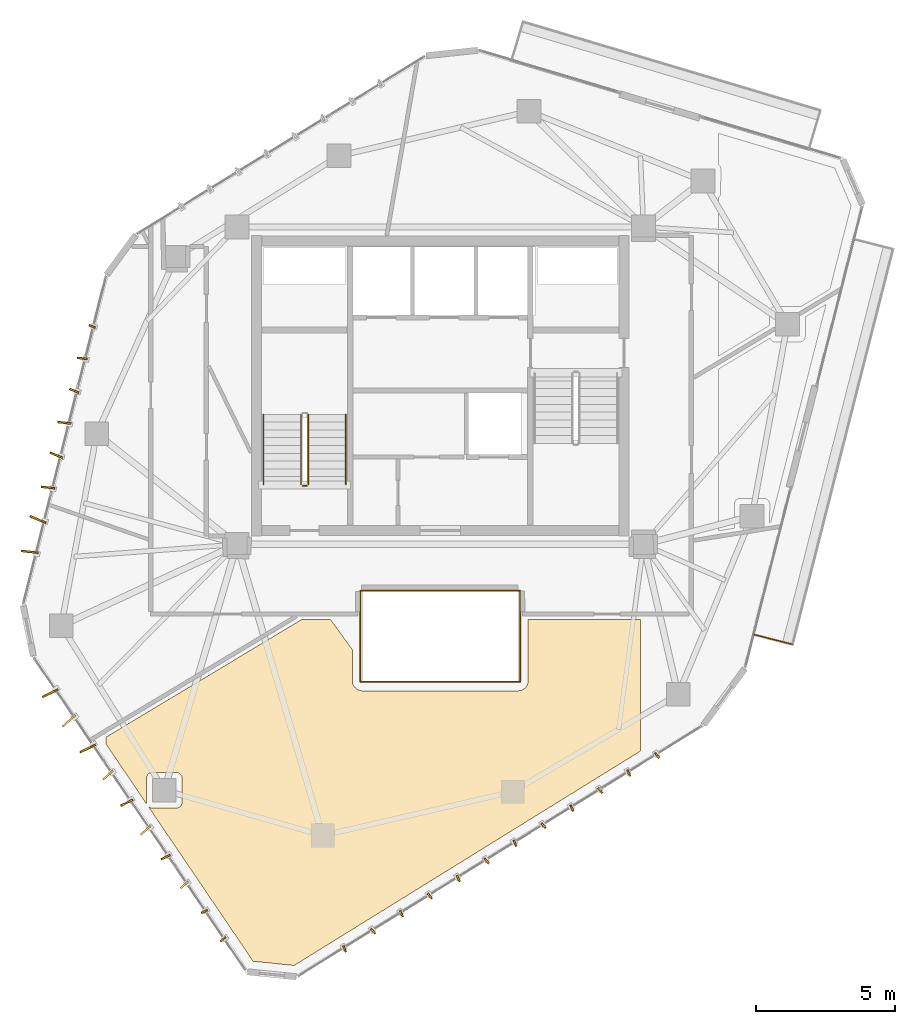
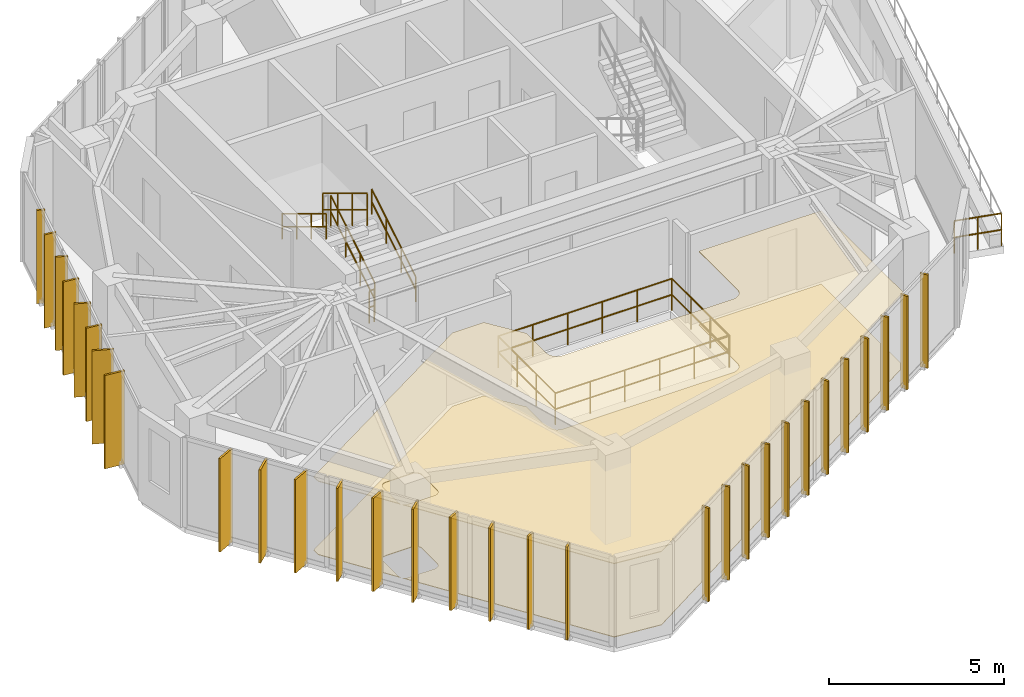
# One storey, part 19 of 20: 30 shading devices, 10 railings, 2 coverings.
"""IFC4 building model written with IfcOpenShell, lengths in metres."""

from ifc_helpers import new_model, si_unit, direction, frame, origin, origin_2d, place, context, subcontext, project, spatial, polyline, rectangle, circle, outline, extrude, source, transform, mapped, material, layer, layer_set, type_object, type_shapes, element, save


model = new_model("IFC4")

# Units and contexts
model_context = context("Model", 3, precision=1e-05, world=origin(), true_north=direction((0.0, 1.0)))
body_context = subcontext(model_context, "Body", "Model", "MODEL_VIEW")
ifc_project = project(units=[si_unit("LENGTHUNIT", "METRE"), si_unit("AREAUNIT", "SQUARE_METRE"), si_unit("VOLUMEUNIT", "CUBIC_METRE"), si_unit("PLANEANGLEUNIT", "RADIAN"), si_unit("MASSUNIT", "GRAM", prefix="KILO")], contexts=[model_context])

# Site, building, storey
site_placement = place(None, origin())
site = spatial("IfcSite", under=ifc_project, at=site_placement, CompositionType="ELEMENT")
building_placement = place(site_placement, origin())
building = spatial("IfcBuilding", under=site, at=building_placement, Name="Talar Marvaseh", CompositionType="ELEMENT")
storey_placement = place(building_placement, frame((0.0, 0.0, 251.0)))
storey = spatial("IfcBuildingStorey", under=building, at=storey_placement, Name="L66", CompositionType="ELEMENT", Elevation=251.0)

# Railings
ifc_material_1 = material(Name="Stainless Steel Grade 316", Category="steel")
railing_type_1 = type_object("IfcRailingType", Name="Brushed Stainless Wall Pitch Handrail 900", PredefinedType="HANDRAIL", material=ifc_material_1)
railing_1_placement = place(storey_placement, frame((22.610107421875, 27.64990234375, 0.169921875)))
element("IfcRailing", 1, at=railing_1_placement, inside=storey, type_object=railing_type_1, Name="L66 ST-1 stair handrail 1", PredefinedType="HANDRAIL", context=body_context, shape_type="SweptSolid", body=[
    extrude(circle(Radius=0.02392578125, at=origin_2d()), frame((0.0, 0.0, 0.8759765625), z_axis=(0.0, 0.85478489116, 0.518982456201), x_axis=(-1.0, 0.0, 0.0)), (0.0, 0.0, 1.0), 2.9482421875),
    extrude(circle(Radius=0.02392578125, at=origin_2d()), frame((0.0, 0.0, 0.42578125), z_axis=(0.0, 0.85478489116, 0.518982456201), x_axis=(-1.0, 0.0, 0.0)), (0.0, 0.0, 1.0), 2.9482421875),
    extrude(circle(Radius=0.02099609375, at=origin_2d()), origin(), (0.0, 0.0, 1.0), 0.851806640625),
    extrude(circle(Radius=0.02099609375, at=origin_2d()), frame((0.0, 0.840087890625, 0.510009765625)), (0.0, 0.0, 1.0), 0.851806640625),
    extrude(circle(Radius=0.02099609375, at=origin_2d()), frame((0.0, 1.679931640625, 1.02001953125)), (0.0, 0.0, 1.0), 0.851806640625),
    extrude(circle(Radius=0.02099609375, at=origin_2d()), frame((0.0, 2.52001953125, 1.530029296875)), (0.0, 0.0, 1.0), 0.851806640625),
])
railing_2_placement = place(storey_placement, frame((19.64990234375, 30.169921875, 1.8701171875)))
element("IfcRailing", 2, at=railing_2_placement, inside=storey, type_object=railing_type_1, Name="L66 ST-1 stair handrail 2", PredefinedType="HANDRAIL", context=body_context, shape_type="SweptSolid", body=[
    extrude(circle(Radius=0.02392578125, at=origin_2d()), frame((0.0, 0.0, 0.8759765625), z_axis=(0.0, -0.854821627497, 0.518921945155), x_axis=(1.0, 0.0, 0.0)), (0.0, 0.0, 1.0), 2.947998046875),
    extrude(circle(Radius=0.02392578125, at=origin_2d()), frame((0.0, 0.0, 0.42578125), z_axis=(0.0, -0.854821627497, 0.518921945155), x_axis=(1.0, 0.0, 0.0)), (0.0, 0.0, 1.0), 2.947998046875),
    extrude(circle(Radius=0.02099609375, at=origin_2d()), origin(), (0.0, 0.0, 1.0), 0.851806640625),
    extrude(circle(Radius=0.02099609375, at=origin_2d()), frame((0.0, -0.840087890625, 0.510009765625)), (0.0, 0.0, 1.0), 0.851806640625),
    extrude(circle(Radius=0.02099609375, at=origin_2d()), frame((0.0, -1.679931640625, 1.019775390625)), (0.0, 0.0, 1.0), 0.851806640625),
    extrude(circle(Radius=0.02099609375, at=origin_2d()), frame((0.0, -2.52001953125, 1.52978515625)), (0.0, 0.0, 1.0), 0.851806640625),
])
ifc_material_2 = material(Name="Tempered Clear Glass", Category="glass")
railing_type_2 = type_object("IfcRailingType", Name="External Laminated Glass Terrace Balustrade 1150", PredefinedType="BALUSTRADE", material=ifc_material_2)
railing_3_placement = place(storey_placement, frame((38.642578125, 21.91064453125, 0.0)))
element("IfcRailing", 3, at=railing_3_placement, inside=storey, type_object=railing_type_2, Name="L66 External Terrace Balustrade 2 3", PredefinedType="BALUSTRADE", context=body_context, shape_type="SweptSolid", body=[
    extrude(circle(Radius=0.02392578125, at=origin_2d()), frame((0.0, 0.0, 1.1259765625), z_axis=(-0.969177640039, 0.246362947798, 0.0), x_axis=(-0.246362947798, -0.969177640039, 0.0)), (0.0, 0.0, 1.0), 1.41015625),
    extrude(circle(Radius=0.02392578125, at=origin_2d()), frame((0.0, 0.0, 0.55078125), z_axis=(-0.969177640039, 0.246362947798, 0.0), x_axis=(-0.246362947798, -0.969177640039, 0.0)), (0.0, 0.0, 1.0), 1.41015625),
    extrude(circle(Radius=0.02099609375, at=origin_2d()), origin(), (0.0, 0.0, 1.0), 1.101806640625),
    extrude(circle(Radius=0.02099609375, at=origin_2d()), frame((-0.683349609375, 0.173828125, 0.0)), (0.0, 0.0, 1.0), 1.101806640625),
    extrude(circle(Radius=0.02099609375, at=origin_2d()), frame((-1.36669921875, 0.347412109375, 0.0)), (0.0, 0.0, 1.0), 1.101806640625),
])
railing_type_3 = type_object("IfcRailingType", Name="Interior Atrium Edge Balustrade 1120", PredefinedType="BALUSTRADE", material=ifc_material_2)
railing_4_placement = place(storey_placement, frame((23.130615234375, 20.560302734375, 0.0)))
element("IfcRailing", 4, at=railing_4_placement, inside=storey, type_object=railing_type_3, Name="L66 Internal Daylight Atrium Balustrade 1", PredefinedType="BALUSTRADE", context=body_context, shape_type="SweptSolid", body=[
    extrude(circle(Radius=0.02392578125, at=origin_2d()), frame((0.0, 0.0, 1.09619140625), z_axis=(1.0, 0.0, 0.0), x_axis=(0.0, 1.0, 0.0)), (0.0, 0.0, 1.0), 5.73876953125),
    extrude(circle(Radius=0.02392578125, at=origin_2d()), frame((0.0, 0.0, 0.5361328125), z_axis=(1.0, 0.0, 0.0), x_axis=(0.0, 1.0, 0.0)), (0.0, 0.0, 1.0), 5.73876953125),
    extrude(circle(Radius=0.02099609375, at=origin_2d()), origin(), (0.0, 0.0, 1.0), 1.072021484375),
    extrude(circle(Radius=0.02099609375, at=origin_2d()), frame((1.147705078125, 0.0, 0.0)), (0.0, 0.0, 1.0), 1.072021484375),
    extrude(circle(Radius=0.02099609375, at=origin_2d()), frame((2.29541015625, 0.0, 0.0)), (0.0, 0.0, 1.0), 1.072021484375),
    extrude(circle(Radius=0.02099609375, at=origin_2d()), frame((3.443359375, 0.0, 0.0)), (0.0, 0.0, 1.0), 1.072021484375),
    extrude(circle(Radius=0.02099609375, at=origin_2d()), frame((4.591064453125, 0.0, 0.0)), (0.0, 0.0, 1.0), 1.072021484375),
    extrude(circle(Radius=0.02099609375, at=origin_2d()), frame((5.73876953125, 0.0, 0.0)), (0.0, 0.0, 1.0), 1.072021484375),
])
railing_5_placement = place(storey_placement, frame((28.869384765625, 20.560302734375, 0.0)))
element("IfcRailing", 5, at=railing_5_placement, inside=storey, type_object=railing_type_3, Name="L66 Internal Daylight Atrium Balustrade 2", PredefinedType="BALUSTRADE", context=body_context, shape_type="SweptSolid", body=[
    extrude(circle(Radius=0.02392578125, at=origin_2d()), frame((0.0, 0.0, 1.09619140625), z_axis=(0.0, 1.0, 0.0), x_axis=(-1.0, 0.0, 0.0)), (0.0, 0.0, 1.0), 3.279296875),
    extrude(circle(Radius=0.02392578125, at=origin_2d()), frame((0.0, 0.0, 0.5361328125), z_axis=(0.0, 1.0, 0.0), x_axis=(-1.0, 0.0, 0.0)), (0.0, 0.0, 1.0), 3.279296875),
    extrude(circle(Radius=0.02099609375, at=origin_2d()), origin(), (0.0, 0.0, 1.0), 1.072021484375),
    extrude(circle(Radius=0.02099609375, at=origin_2d()), frame((0.0, 1.093017578125, 0.0)), (0.0, 0.0, 1.0), 1.072021484375),
    extrude(circle(Radius=0.02099609375, at=origin_2d()), frame((0.0, 2.186279296875, 0.0)), (0.0, 0.0, 1.0), 1.072021484375),
    extrude(circle(Radius=0.02099609375, at=origin_2d()), frame((0.0, 3.279296875, 0.0)), (0.0, 0.0, 1.0), 1.072021484375),
])
railing_6_placement = place(storey_placement, frame((28.869384765625, 23.839599609375, 0.0)))
element("IfcRailing", 6, at=railing_6_placement, inside=storey, type_object=railing_type_3, Name="L66 Internal Daylight Atrium Balustrade 3", PredefinedType="BALUSTRADE", context=body_context, shape_type="SweptSolid", body=[
    extrude(circle(Radius=0.02392578125, at=origin_2d()), frame((0.0, 0.0, 1.09619140625), z_axis=(-1.0, 0.0, 0.0), x_axis=(0.0, -1.0, 0.0)), (0.0, 0.0, 1.0), 5.73876953125),
    extrude(circle(Radius=0.02392578125, at=origin_2d()), frame((0.0, 0.0, 0.5361328125), z_axis=(-1.0, 0.0, 0.0), x_axis=(0.0, -1.0, 0.0)), (0.0, 0.0, 1.0), 5.73876953125),
    extrude(circle(Radius=0.02099609375, at=origin_2d()), origin(), (0.0, 0.0, 1.0), 1.072021484375),
    extrude(circle(Radius=0.02099609375, at=origin_2d()), frame((-1.147705078125, 0.0, 0.0)), (0.0, 0.0, 1.0), 1.072021484375),
    extrude(circle(Radius=0.02099609375, at=origin_2d()), frame((-2.29541015625, 0.0, 0.0)), (0.0, 0.0, 1.0), 1.072021484375),
    extrude(circle(Radius=0.02099609375, at=origin_2d()), frame((-3.443359375, 0.0, 0.0)), (0.0, 0.0, 1.0), 1.072021484375),
    extrude(circle(Radius=0.02099609375, at=origin_2d()), frame((-4.591064453125, 0.0, 0.0)), (0.0, 0.0, 1.0), 1.072021484375),
    extrude(circle(Radius=0.02099609375, at=origin_2d()), frame((-5.73876953125, 0.0, 0.0)), (0.0, 0.0, 1.0), 1.072021484375),
])
railing_7_placement = place(storey_placement, frame((23.130615234375, 23.839599609375, 0.0)))
element("IfcRailing", 7, at=railing_7_placement, inside=storey, type_object=railing_type_3, Name="L66 Internal Daylight Atrium Balustrade 4", PredefinedType="BALUSTRADE", context=body_context, shape_type="SweptSolid", body=[
    extrude(circle(Radius=0.02392578125, at=origin_2d()), frame((0.0, 0.0, 1.09619140625), z_axis=(0.0, -1.0, 0.0), x_axis=(1.0, 0.0, 0.0)), (0.0, 0.0, 1.0), 3.279296875),
    extrude(circle(Radius=0.02392578125, at=origin_2d()), frame((0.0, 0.0, 0.5361328125), z_axis=(0.0, -1.0, 0.0), x_axis=(1.0, 0.0, 0.0)), (0.0, 0.0, 1.0), 3.279296875),
    extrude(circle(Radius=0.02099609375, at=origin_2d()), origin(), (0.0, 0.0, 1.0), 1.072021484375),
    extrude(circle(Radius=0.02099609375, at=origin_2d()), frame((0.0, -1.093017578125, 0.0)), (0.0, 0.0, 1.0), 1.072021484375),
    extrude(circle(Radius=0.02099609375, at=origin_2d()), frame((0.0, -2.186279296875, 0.0)), (0.0, 0.0, 1.0), 1.072021484375),
    extrude(circle(Radius=0.02099609375, at=origin_2d()), frame((0.0, -3.279296875, 0.0)), (0.0, 0.0, 1.0), 1.072021484375),
])
railing_type_4 = type_object("IfcRailingType", Name="Painted Steel Core Stair Well Guardrail 1150", PredefinedType="GUARDRAIL", material=ifc_material_1)
railing_8_placement = place(storey_placement, frame((21.260009765625, 27.64990234375, 0.169921875)))
element("IfcRailing", 8, at=railing_8_placement, inside=storey, type_object=railing_type_4, Name="L66 ST-1 stair guard 1", PredefinedType="GUARDRAIL", context=body_context, shape_type="SweptSolid", body=[
    extrude(circle(Radius=0.02392578125, at=origin_2d()), frame((0.0, 0.0, 1.1259765625), z_axis=(0.0, 0.85478489116, 0.518982456201), x_axis=(-1.0, 0.0, 0.0)), (0.0, 0.0, 1.0), 2.9482421875),
    extrude(circle(Radius=0.02392578125, at=origin_2d()), frame((0.0, 0.0, 0.55078125), z_axis=(0.0, 0.85478489116, 0.518982456201), x_axis=(-1.0, 0.0, 0.0)), (0.0, 0.0, 1.0), 2.9482421875),
    extrude(circle(Radius=0.02099609375, at=origin_2d()), origin(), (0.0, 0.0, 1.0), 1.101806640625),
    extrude(circle(Radius=0.02099609375, at=origin_2d()), frame((0.0, 0.840087890625, 0.510009765625)), (0.0, 0.0, 1.0), 1.101806640625),
    extrude(circle(Radius=0.02099609375, at=origin_2d()), frame((0.0, 1.679931640625, 1.02001953125)), (0.0, 0.0, 1.0), 1.101806640625),
    extrude(circle(Radius=0.02099609375, at=origin_2d()), frame((0.0, 2.52001953125, 1.530029296875)), (0.0, 0.0, 1.0), 1.101806640625),
])
railing_9_placement = place(storey_placement, frame((21.0, 30.169921875, 1.8701171875)))
element("IfcRailing", 9, at=railing_9_placement, inside=storey, type_object=railing_type_4, Name="L66 ST-1 stair guard 3", PredefinedType="GUARDRAIL", context=body_context, shape_type="SweptSolid", body=[
    extrude(circle(Radius=0.02392578125, at=origin_2d()), frame((0.0, 0.0, 1.1259765625), z_axis=(0.0, -0.854821627497, 0.518921945155), x_axis=(1.0, 0.0, 0.0)), (0.0, 0.0, 1.0), 2.947998046875),
    extrude(circle(Radius=0.02392578125, at=origin_2d()), frame((0.0, 0.0, 0.55078125), z_axis=(0.0, -0.854821627497, 0.518921945155), x_axis=(1.0, 0.0, 0.0)), (0.0, 0.0, 1.0), 2.947998046875),
    extrude(circle(Radius=0.02099609375, at=origin_2d()), origin(), (0.0, 0.0, 1.0), 1.101806640625),
    extrude(circle(Radius=0.02099609375, at=origin_2d()), frame((0.0, -0.840087890625, 0.510009765625)), (0.0, 0.0, 1.0), 1.101806640625),
    extrude(circle(Radius=0.02099609375, at=origin_2d()), frame((0.0, -1.679931640625, 1.019775390625)), (0.0, 0.0, 1.0), 1.101806640625),
    extrude(circle(Radius=0.02099609375, at=origin_2d()), frame((0.0, -2.52001953125, 1.52978515625)), (0.0, 0.0, 1.0), 1.101806640625),
])
railing_10_placement = place(storey_placement, frame((21.2099609375, 27.60009765625, 0.0)))
element("IfcRailing", 10, at=railing_10_placement, inside=storey, type_object=railing_type_4, Name="L66 ST-1 stair guard 4", PredefinedType="GUARDRAIL", context=body_context, shape_type="SweptSolid", body=[
    extrude(circle(Radius=0.02392578125, at=origin_2d()), frame((0.0, 0.0, 1.1259765625), z_axis=(-1.0, 0.0, 0.0), x_axis=(0.0, -1.0, 0.0)), (0.0, 0.0, 1.0), 0.159912109375),
    extrude(circle(Radius=0.02392578125, at=origin_2d()), frame((0.0, 0.0, 0.55078125), z_axis=(-1.0, 0.0, 0.0), x_axis=(0.0, -1.0, 0.0)), (0.0, 0.0, 1.0), 0.159912109375),
    extrude(circle(Radius=0.02099609375, at=origin_2d()), origin(), (0.0, 0.0, 1.0), 1.101806640625),
    extrude(circle(Radius=0.02099609375, at=origin_2d()), frame((-0.159912109375, 0.0, 0.0)), (0.0, 0.0, 1.0), 1.101806640625),
])

# Coverings
ifc_material_3 = material(Name="Mineral Fibre Acoustic Ceiling")
ifc_layer_1 = layer(ifc_material_3, 0.02490234375)
ifc_layer_set_1 = layer_set([ifc_layer_1], Name="Mineral Fibre Acoustic Ceiling")
covering_type_1 = type_object("IfcCoveringType", Name="Perforated Mineral Fibre Acoustic Suspended Ceiling", PredefinedType="CEILING", material=ifc_layer_set_1)
covering_1_placement = place(storey_placement, frame((0.0, 0.0, 2.56005859375)))
element("IfcCovering", 11, at=covering_1_placement, inside=storey, type_object=covering_type_1, Name="L66 Rare Books Archive Room Acoustic Ceiling", PredefinedType="CEILING", context=body_context, shape_type="SweptSolid", body=[
    extrude(outline(polyline([(14.0, 18.579833984375), (21.0234375, 22.800048828125), (22.0595703125, 22.800048828125), (22.840087890625, 21.721435546875), (22.840087890625, 20.60009765625), (22.840576171875, 20.585205078125), (22.84228515625, 20.570556640625), (22.84912109375, 20.524169921875), (22.852783203125, 20.5048828125), (22.858642578125, 20.486083984375), (22.8662109375, 20.468017578125), (22.88623046875, 20.425537109375), (22.8955078125, 20.408203125), (22.906494140625, 20.39208984375), (22.918701171875, 20.376708984375), (22.9326171875, 20.36279296875), (22.990234375, 20.310791015625), (23.00390625, 20.29931640625), (23.018310546875, 20.289306640625), (23.03369140625, 20.28076171875), (23.0498046875, 20.2734375), (23.066650390625, 20.267578125), (23.126220703125, 20.24951171875), (23.145263671875, 20.24462890625), (23.164794921875, 20.24169921875), (23.184326171875, 20.24072265625), (28.815673828125, 20.24072265625), (28.83203125, 20.241455078125), (28.848388671875, 20.243408203125), (28.8642578125, 20.246826171875), (28.909912109375, 20.25830078125), (28.92626953125, 20.26318359375), (28.9423828125, 20.269287109375), (28.957763671875, 20.277099609375), (28.972412109375, 20.285888671875), (29.0244140625, 20.320556640625), (29.04248046875, 20.33447265625), (29.05908203125, 20.35009765625), (29.07373046875, 20.36767578125), (29.101806640625, 20.405517578125), (29.112548828125, 20.421630859375), (29.121826171875, 20.439208984375), (29.12939453125, 20.457275390625), (29.145263671875, 20.50146484375), (29.151611328125, 20.523193359375), (29.155517578125, 20.5458984375), (29.156982421875, 20.568603515625), (29.15966796875, 22.800048828125), (33.199951171875, 22.800048828125), (33.199951171875, 18.079345703125), (20.75244140625, 10.373779296875), (19.276611328125, 10.5244140625), (15.50341796875, 16.098388671875), (15.510009765625, 16.091064453125), (15.5244140625, 16.077880859375), (15.540283203125, 16.066162109375), (15.55712890625, 16.055908203125), (15.574951171875, 16.047607421875), (15.59326171875, 16.041015625), (15.6123046875, 16.0361328125), (15.6318359375, 16.033447265625), (15.6513671875, 16.032470703125), (16.522705078125, 16.032470703125), (16.5419921875, 16.033447265625), (16.5615234375, 16.0361328125), (16.58056640625, 16.041015625), (16.598876953125, 16.047607421875), (16.61669921875, 16.055908203125), (16.63330078125, 16.06591796875), (16.649169921875, 16.077392578125), (16.663818359375, 16.090576171875), (16.6767578125, 16.10498046875), (16.6884765625, 16.120849609375), (16.69873046875, 16.137451171875), (16.70703125, 16.1552734375), (16.7138671875, 16.173583984375), (16.718505859375, 16.1923828125), (16.721435546875, 16.2119140625), (16.72265625, 16.2314453125), (16.726806640625, 17.093505859375), (16.72607421875, 17.112060546875), (16.7236328125, 17.130615234375), (16.719482421875, 17.148681640625), (16.71337890625, 17.16650390625), (16.7060546875, 17.18359375), (16.697021484375, 17.199951171875), (16.686279296875, 17.215087890625), (16.67431640625, 17.2294921875), (16.6611328125, 17.24267578125), (16.646240234375, 17.256103515625), (16.632080078125, 17.26806640625), (16.61669921875, 17.2783203125), (16.6005859375, 17.287353515625), (16.58349609375, 17.294921875), (16.56591796875, 17.300537109375), (16.5478515625, 17.3046875), (16.529541015625, 17.30712890625), (16.510986328125, 17.30810546875), (15.650390625, 17.3037109375), (15.630859375, 17.302490234375), (15.611572265625, 17.299560546875), (15.592529296875, 17.294677734375), (15.57421875, 17.2880859375), (15.556396484375, 17.27978515625), (15.539794921875, 17.26953125), (15.524169921875, 17.2578125), (15.509521484375, 17.24462890625), (15.49658203125, 17.22998046875), (15.48486328125, 17.21435546875), (15.474853515625, 17.197509765625), (15.466552734375, 17.179931640625), (15.4599609375, 17.16162109375), (15.455078125, 17.142578125), (15.452392578125, 17.123046875), (15.451416015625, 17.103515625), (15.451416015625, 16.232421875), (15.452392578125, 16.212890625), (15.455078125, 16.193359375), (15.4599609375, 16.17431640625), (15.466552734375, 16.156005859375), (15.4716796875, 16.14501953125), (14.0, 18.319091796875), (14.0, 18.579833984375)])), origin(), (0.0, 0.0, 1.0), 0.02490234375),
])
ifc_material_4 = material(Name="Porcelain Stoneware Tile", Category="masonry")
ifc_layer_2 = layer(ifc_material_4, 0.02001953125)
ifc_layer_set_2 = layer_set([ifc_layer_2], Name="Porcelain Stoneware Tile")
covering_type_2 = type_object("IfcCoveringType", Name="Polished Porcelain Stoneware Gallery Flooring", PredefinedType="FLOORING", material=ifc_layer_set_2)
covering_2_placement = place(storey_placement, origin())
element("IfcCovering", 12, at=covering_2_placement, inside=storey, type_object=covering_type_2, Name="L66 Rare Books Archive Room Flooring", PredefinedType="FLOORING", context=body_context, shape_type="SweptSolid", body=[
    extrude(outline(polyline([(14.0, 18.579833984375), (21.0234375, 22.800048828125), (22.0595703125, 22.800048828125), (22.840087890625, 21.721435546875), (22.840087890625, 20.60009765625), (22.840576171875, 20.585205078125), (22.84228515625, 20.570556640625), (22.84912109375, 20.524169921875), (22.852783203125, 20.5048828125), (22.858642578125, 20.486083984375), (22.8662109375, 20.468017578125), (22.88623046875, 20.425537109375), (22.8955078125, 20.408203125), (22.906494140625, 20.39208984375), (22.918701171875, 20.376708984375), (22.9326171875, 20.36279296875), (22.990234375, 20.310791015625), (23.00390625, 20.29931640625), (23.018310546875, 20.289306640625), (23.03369140625, 20.28076171875), (23.0498046875, 20.2734375), (23.066650390625, 20.267578125), (23.126220703125, 20.24951171875), (23.145263671875, 20.24462890625), (23.164794921875, 20.24169921875), (23.184326171875, 20.24072265625), (28.815673828125, 20.24072265625), (28.83203125, 20.241455078125), (28.848388671875, 20.243408203125), (28.8642578125, 20.246826171875), (28.909912109375, 20.25830078125), (28.92626953125, 20.26318359375), (28.9423828125, 20.269287109375), (28.957763671875, 20.277099609375), (28.972412109375, 20.285888671875), (29.0244140625, 20.320556640625), (29.04248046875, 20.33447265625), (29.05908203125, 20.35009765625), (29.07373046875, 20.36767578125), (29.101806640625, 20.405517578125), (29.112548828125, 20.421630859375), (29.121826171875, 20.439208984375), (29.12939453125, 20.457275390625), (29.145263671875, 20.50146484375), (29.151611328125, 20.523193359375), (29.155517578125, 20.5458984375), (29.156982421875, 20.568603515625), (29.15966796875, 22.800048828125), (33.199951171875, 22.800048828125), (33.199951171875, 18.079345703125), (20.75244140625, 10.373779296875), (19.276611328125, 10.5244140625), (15.50341796875, 16.098388671875), (15.510009765625, 16.091064453125), (15.5244140625, 16.077880859375), (15.540283203125, 16.066162109375), (15.55712890625, 16.055908203125), (15.574951171875, 16.047607421875), (15.59326171875, 16.041015625), (15.6123046875, 16.0361328125), (15.6318359375, 16.033447265625), (15.6513671875, 16.032470703125), (16.522705078125, 16.032470703125), (16.5419921875, 16.033447265625), (16.5615234375, 16.0361328125), (16.58056640625, 16.041015625), (16.598876953125, 16.047607421875), (16.61669921875, 16.055908203125), (16.63330078125, 16.06591796875), (16.649169921875, 16.077392578125), (16.663818359375, 16.090576171875), (16.6767578125, 16.10498046875), (16.6884765625, 16.120849609375), (16.69873046875, 16.137451171875), (16.70703125, 16.1552734375), (16.7138671875, 16.173583984375), (16.718505859375, 16.1923828125), (16.721435546875, 16.2119140625), (16.72265625, 16.2314453125), (16.726806640625, 17.093505859375), (16.72607421875, 17.112060546875), (16.7236328125, 17.130615234375), (16.719482421875, 17.148681640625), (16.71337890625, 17.16650390625), (16.7060546875, 17.18359375), (16.697021484375, 17.199951171875), (16.686279296875, 17.215087890625), (16.67431640625, 17.2294921875), (16.6611328125, 17.24267578125), (16.646240234375, 17.256103515625), (16.632080078125, 17.26806640625), (16.61669921875, 17.2783203125), (16.6005859375, 17.287353515625), (16.58349609375, 17.294921875), (16.56591796875, 17.300537109375), (16.5478515625, 17.3046875), (16.529541015625, 17.30712890625), (16.510986328125, 17.30810546875), (15.650390625, 17.3037109375), (15.630859375, 17.302490234375), (15.611572265625, 17.299560546875), (15.592529296875, 17.294677734375), (15.57421875, 17.2880859375), (15.556396484375, 17.27978515625), (15.539794921875, 17.26953125), (15.524169921875, 17.2578125), (15.509521484375, 17.24462890625), (15.49658203125, 17.22998046875), (15.48486328125, 17.21435546875), (15.474853515625, 17.197509765625), (15.466552734375, 17.179931640625), (15.4599609375, 17.16162109375), (15.455078125, 17.142578125), (15.452392578125, 17.123046875), (15.451416015625, 17.103515625), (15.451416015625, 16.232421875), (15.452392578125, 16.212890625), (15.455078125, 16.193359375), (15.4599609375, 16.17431640625), (15.466552734375, 16.156005859375), (15.4716796875, 16.14501953125), (14.0, 18.319091796875), (14.0, 18.579833984375)])), origin(), (0.0, 0.0, 1.0), 0.02001953125),
])

# Shading devices
ifc_material_5 = material(Name="Anodised Champagne Bronze Aluminium", Category="aluminium")
ifc_layer_3 = layer(ifc_material_5, 0.06494140625)
ifc_layer_set_3 = layer_set([ifc_layer_3], Name="Anodised Champagne Bronze Aluminium")
shading_device_type_1 = type_object("IfcShadingDeviceType", Name="Sawtooth Champagne Bronze Vertical Fin 240", PredefinedType="USERDEFINED", material=ifc_layer_set_3)
shared_shape_1 = source(origin(), body_context, "Body", "SweptSolid", [
    extrude(rectangle(XDim=0.239990234375, YDim=0.06494140625, at=origin_2d()), origin(), (0.0, 0.0, 1.0), 3.260009765625),
])
type_shapes(shading_device_type_1, [shared_shape_1])
for number, where, z_axis, x_axis, name in (
    (13, (18.20263671875, 11.317138671875, -0.1201171875), (0.0, 0.0, 1.0), (-0.741975840976, -0.670426618959, 0.0), "L66 Sawtooth Vertical Solar Fin"),
    (14, (17.52978515625, 12.310791015625, -0.1201171875), (0.0, 0.0, 1.0), (-0.898027575761, -0.439939169856, 0.0), "L66 Sawtooth Vertical Solar Fin"),
    (15, (13.4970703125, 33.327880859375, -0.1201171875), (0.0, 0.0, 1.0), (-0.926002419716, 0.377517574003, 0.0), "L66 Sawtooth Vertical Solar Fin"),
    (16, (33.7890625, 17.920654296875, -0.1201171875), (0.0, 0.0, 1.0), (0.639573180455, -0.768730217204, 0.0), "L66 Sawtooth Vertical Solar Fin"),
    (17, (32.768798828125, 17.2890625, -0.1201171875), (0.0, 0.0, 1.0), (0.402906435714, -0.915241172621, 0.0), "L66 Sawtooth Vertical Solar Fin"),
    (18, (31.748291015625, 16.657470703125, -0.1201171875), (0.0, 0.0, 1.0), (0.639573180455, -0.768730217204, 0.0), "L66 Sawtooth Vertical Solar Fin"),
    (19, (30.72802734375, 16.02587890625, -0.1201171875), (0.0, 0.0, 1.0), (0.402906435714, -0.915241172621, 0.0), "L66 Sawtooth Vertical Solar Fin"),
    (20, (29.707763671875, 15.394287109375, -0.1201171875), (0.0, 0.0, 1.0), (0.639573180455, -0.768730217204, 0.0), "L66 Sawtooth Vertical Solar Fin"),
    (21, (28.6875, 14.7626953125, -0.1201171875), (0.0, 0.0, 1.0), (0.402906435714, -0.915241172621, 0.0), "L66 Sawtooth Vertical Solar Fin"),
    (22, (27.6669921875, 14.131103515625, -0.1201171875), (0.0, 0.0, 1.0), (0.639573180455, -0.768730217204, 0.0), "L66 Sawtooth Vertical Solar Fin"),
    (23, (26.646728515625, 13.499267578125, -0.1201171875), (0.0, 0.0, 1.0), (0.402906435714, -0.915241172621, 0.0), "L66 Sawtooth Vertical Solar Fin"),
    (24, (25.62646484375, 12.86767578125, -0.1201171875), (0.0, 0.0, 1.0), (0.639573180455, -0.768730217204, 0.0), "L66 Sawtooth Vertical Solar Fin"),
    (25, (24.606201171875, 12.236083984375, -0.1201171875), (0.0, 0.0, 1.0), (0.402906435714, -0.915241172621, 0.0), "L66 Sawtooth Vertical Solar Fin"),
    (26, (23.585693359375, 11.6044921875, -0.1201171875), (0.0, 0.0, 1.0), (0.639573180455, -0.768730217204, 0.0), "L66 Sawtooth Vertical Solar Fin"),
    (27, (22.5654296875, 10.972900390625, -0.1201171875), (0.0, 0.0, 1.0), (0.402906435714, -0.915241172621, 0.0), "L66 Sawtooth Vertical Solar Fin"),
):
    element("IfcShadingDevice", number, at=place(storey_placement, frame(where, z_axis=z_axis, x_axis=x_axis)), inside=storey, type_object=shading_device_type_1, Name=name, ObjectType="FIN", PredefinedType="USERDEFINED", context=body_context, shape_type="MappedRepresentation", body=[
        mapped(shared_shape_1, transform((0.0, 0.0, 0.0), x_axis=(1.0, 0.0, 0.0), y_axis=(0.0, 1.0, 0.0), z_axis=(0.0, 0.0, 1.0), scale=1.0)),
    ])
ifc_layer_4 = layer(ifc_material_5, 0.06494140625)
ifc_layer_set_4 = layer_set([ifc_layer_4], Name="Anodised Champagne Bronze Aluminium")
shading_device_type_2 = type_object("IfcShadingDeviceType", Name="Sawtooth Champagne Bronze Vertical Fin 360", PredefinedType="USERDEFINED", material=ifc_layer_set_4)
shared_shape_2 = source(origin(), body_context, "Body", "SweptSolid", [
    extrude(rectangle(XDim=0.360107421875, YDim=0.06494140625, at=origin_2d()), origin(), (0.0, 0.0, 1.0), 3.260009765625),
])
type_shapes(shading_device_type_2, [shared_shape_2])
for number, where, z_axis, x_axis, name in (
    (28, (16.8076171875, 13.27099609375, -0.1201171875), (0.0, 0.0, 1.0), (-0.741975840976, -0.670426618959, 0.0), "L66 Sawtooth Vertical Solar Fin"),
    (29, (16.134765625, 14.2646484375, -0.1201171875), (0.0, 0.0, 1.0), (-0.898027575761, -0.439939169856, 0.0), "L66 Sawtooth Vertical Solar Fin"),
    (30, (12.850830078125, 31.015869140625, -0.1201171875), (0.0, 0.0, 1.0), (-0.926002419716, 0.377517574003, 0.0), "L66 Sawtooth Vertical Solar Fin"),
    (31, (13.144775390625, 32.17919921875, -0.1201171875), (0.0, 0.0, 1.0), (-0.994188602291, 0.107652324982, 0.0), "L66 Sawtooth Vertical Solar Fin"),
):
    element("IfcShadingDevice", number, at=place(storey_placement, frame(where, z_axis=z_axis, x_axis=x_axis)), inside=storey, type_object=shading_device_type_2, Name=name, ObjectType="FIN", PredefinedType="USERDEFINED", context=body_context, shape_type="MappedRepresentation", body=[
        mapped(shared_shape_2, transform((0.0, 0.0, 0.0), x_axis=(1.0, 0.0, 0.0), y_axis=(0.0, 1.0, 0.0), z_axis=(0.0, 0.0, 1.0), scale=1.0)),
    ])
ifc_layer_5 = layer(ifc_material_5, 0.06494140625)
ifc_layer_set_5 = layer_set([ifc_layer_5], Name="Anodised Champagne Bronze Aluminium")
shading_device_type_3 = type_object("IfcShadingDeviceType", Name="Sawtooth Champagne Bronze Vertical Fin 480", PredefinedType="USERDEFINED", material=ifc_layer_set_5)
shared_shape_3 = source(origin(), body_context, "Body", "SweptSolid", [
    extrude(rectangle(XDim=0.47998046875, YDim=0.06494140625, at=origin_2d()), origin(), (0.0, 0.0, 1.0), 3.260009765625),
])
type_shapes(shading_device_type_3, [shared_shape_3])
for number, where, z_axis, x_axis, name in (
    (32, (15.412353515625, 15.224853515625, -0.1201171875), (0.0, 0.0, 1.0), (-0.741975840976, -0.670426618959, 0.0), "L66 Sawtooth Vertical Solar Fin"),
    (33, (14.73974609375, 16.218505859375, -0.1201171875), (0.0, 0.0, 1.0), (-0.898027575761, -0.439939169856, 0.0), "L66 Sawtooth Vertical Solar Fin"),
    (34, (14.06689453125, 17.212158203125, -0.1201171875), (0.0, 0.0, 1.0), (-0.741975840976, -0.670426618959, 0.0), "L66 Sawtooth Vertical Solar Fin"),
    (35, (11.91064453125, 27.540283203125, -0.1201171875), (0.0, 0.0, 1.0), (-0.994188602291, 0.107652324982, 0.0), "L66 Sawtooth Vertical Solar Fin"),
    (36, (12.20458984375, 28.70361328125, -0.1201171875), (0.0, 0.0, 1.0), (-0.926002419716, 0.377517574003, 0.0), "L66 Sawtooth Vertical Solar Fin"),
    (37, (12.49853515625, 29.866943359375, -0.1201171875), (0.0, 0.0, 1.0), (-0.994188602291, 0.107652324982, 0.0), "L66 Sawtooth Vertical Solar Fin"),
):
    element("IfcShadingDevice", number, at=place(storey_placement, frame(where, z_axis=z_axis, x_axis=x_axis)), inside=storey, type_object=shading_device_type_3, Name=name, ObjectType="FIN", PredefinedType="USERDEFINED", context=body_context, shape_type="MappedRepresentation", body=[
        mapped(shared_shape_3, transform((0.0, 0.0, 0.0), x_axis=(1.0, 0.0, 0.0), y_axis=(0.0, 1.0, 0.0), z_axis=(0.0, 0.0, 1.0), scale=1.0)),
    ])
ifc_layer_6 = layer(ifc_material_5, 0.06494140625)
ifc_layer_set_6 = layer_set([ifc_layer_6], Name="Anodised Champagne Bronze Aluminium")
shading_device_type_4 = type_object("IfcShadingDeviceType", Name="Sawtooth Champagne Bronze Vertical Fin 620", PredefinedType="USERDEFINED", material=ifc_layer_set_6)
shared_shape_4 = source(origin(), body_context, "Body", "SweptSolid", [
    extrude(rectangle(XDim=0.6201171875, YDim=0.06494140625, at=origin_2d()), origin(), (0.0, 0.0, 1.0), 3.260009765625),
])
type_shapes(shading_device_type_4, [shared_shape_4])
for number, where, z_axis, x_axis, name in (
    (38, (13.33642578125, 18.166748046875, -0.1201171875), (0.0, 0.0, 1.0), (-0.898027575761, -0.439939169856, 0.0), "L66 Sawtooth Vertical Solar Fin"),
    (39, (12.663818359375, 19.160400390625, -0.1201171875), (0.0, 0.0, 1.0), (-0.741975840976, -0.670426618959, 0.0), "L66 Sawtooth Vertical Solar Fin"),
    (40, (11.990966796875, 20.154052734375, -0.1201171875), (0.0, 0.0, 1.0), (-0.898027575761, -0.439939169856, 0.0), "L66 Sawtooth Vertical Solar Fin"),
    (41, (11.254638671875, 25.23046875, -0.1201171875), (0.0, 0.0, 1.0), (-0.994188602291, 0.107652324982, 0.0), "L66 Sawtooth Vertical Solar Fin"),
    (42, (11.548583984375, 26.393798828125, -0.1201171875), (0.0, 0.0, 1.0), (-0.926002419716, 0.377517574003, 0.0), "L66 Sawtooth Vertical Solar Fin"),
):
    element("IfcShadingDevice", number, at=place(storey_placement, frame(where, z_axis=z_axis, x_axis=x_axis)), inside=storey, type_object=shading_device_type_4, Name=name, ObjectType="FIN", PredefinedType="USERDEFINED", context=body_context, shape_type="MappedRepresentation", body=[
        mapped(shared_shape_4, transform((0.0, 0.0, 0.0), x_axis=(1.0, 0.0, 0.0), y_axis=(0.0, 1.0, 0.0), z_axis=(0.0, 0.0, 1.0), scale=1.0)),
    ])

save(model, "model.ifc")
